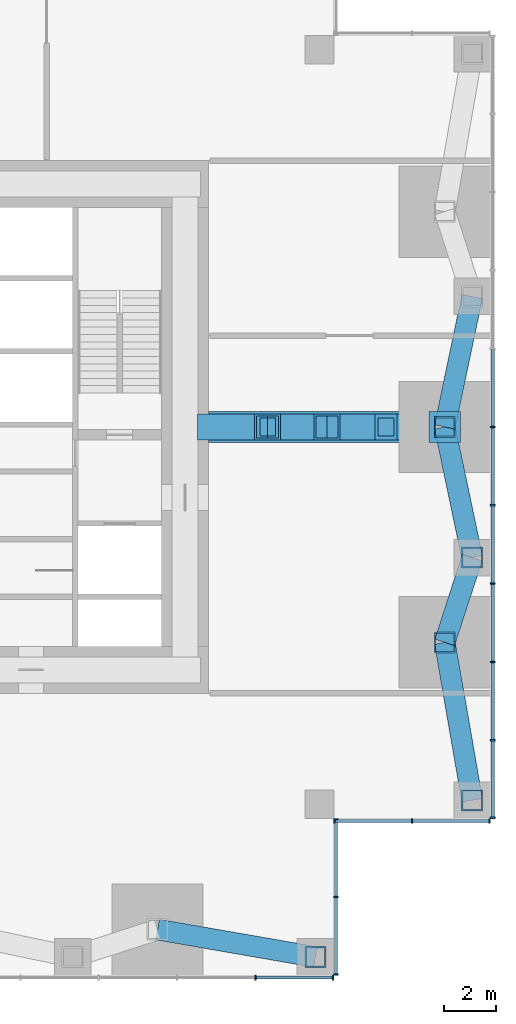
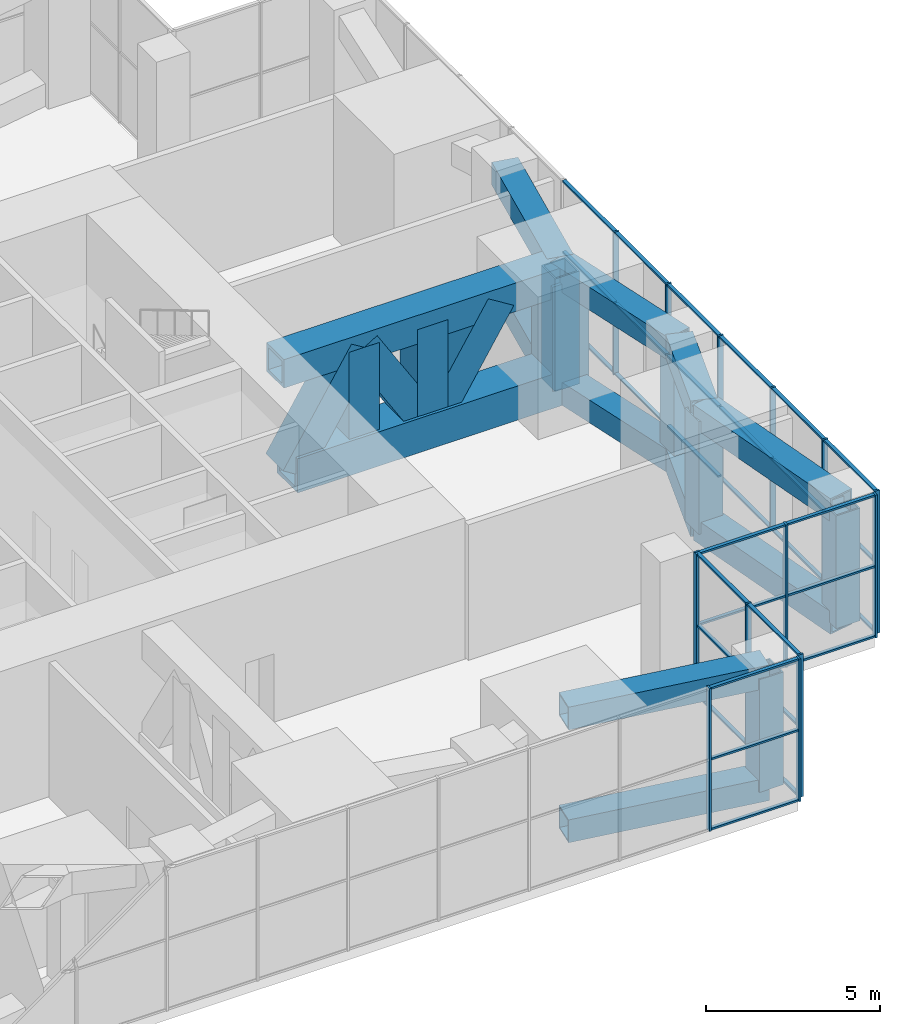
# One storey, part 5 of 13: 70 members, 4 elements without a shape of their own.
"""IFC4 building model written with IfcOpenShell, lengths in metres."""

from ifc_helpers import new_model, si_unit, direction, frame, origin, origin_2d, place, context, subcontext, project, spatial, rectangle, hollow_rectangle, extrude, material, material_profile, profile_set, type_object, element, aggregate, save


model = new_model("IFC4")

# Units and contexts
model_context = context("Model", 3, precision=1e-05, world=origin(), true_north=direction((0.0, 1.0)))
body_context = subcontext(model_context, "Body", "Model", "MODEL_VIEW")
ifc_project = project(units=[si_unit("LENGTHUNIT", "METRE"), si_unit("AREAUNIT", "SQUARE_METRE"), si_unit("VOLUMEUNIT", "CUBIC_METRE"), si_unit("PLANEANGLEUNIT", "RADIAN"), si_unit("MASSUNIT", "GRAM", prefix="KILO")], contexts=[model_context])

# Site, building, storey
site_placement = place(None, origin())
site = spatial("IfcSite", under=ifc_project, at=site_placement, CompositionType="ELEMENT")
building_placement = place(site_placement, origin())
building = spatial("IfcBuilding", under=site, at=building_placement, Name="Svetlomir Tower", CompositionType="ELEMENT")
storey_placement = place(building_placement, frame((0.0, 0.0, 86.5)))
storey = spatial("IfcBuildingStorey", under=building, at=storey_placement, Name="L20", CompositionType="ELEMENT", Elevation=86.5)

# Members
ifc_material_1 = material(Name="Steel S355", Category="steel")
ifc_material_profile_1 = material_profile(ifc_material_1, hollow_rectangle(XDim=0.800048828125, YDim=0.800048828125, WallThickness=0.050048828125, at=origin_2d()), Name="BOX 800x800x50")
ifc_profile_set_1 = profile_set([ifc_material_profile_1], Name="Steel S355")
member_type_1 = type_object("IfcMemberType", Name="BELT FRAME CHORD BOX 800x800x50", PredefinedType="CHORD", material=ifc_profile_set_1)
for number, where, z_axis, x_axis, name in (
    (1, (29.25, 1.75, 0.39990234375), (0.985270350891, -0.171003905378, 0.0), (0.171003905378, 0.985270350891, 0.0), "Belt frame S L20 bottom chord 6"),
    (2, (29.25, 1.75, 4.35009765625), (0.985270350891, -0.171003905378, 0.0), (0.171003905378, 0.985270350891, 0.0), "Belt frame S L20 top chord 6"),
    (3, (41.300048828125, 6.699951171875, 0.39990234375), (-0.171003905378, 0.985270350891, 0.0), (-0.985270350891, -0.171003905378, 0.0), "Belt frame E L20 bottom chord 1"),
    (4, (41.300048828125, 6.699951171875, 4.35009765625), (-0.171003905378, 0.985270350891, 0.0), (-0.985270350891, -0.171003905378, 0.0), "Belt frame E L20 top chord 1"),
):
    element("IfcMember", number, at=place(storey_placement, frame(where, z_axis=z_axis, x_axis=x_axis)), inside=storey, type_object=member_type_1, Name=name, PredefinedType="CHORD", context=body_context, shape_type="SweptSolid", body=[
        extrude(hollow_rectangle(XDim=0.800048828125, YDim=0.800048828125, WallThickness=0.050048828125, at=origin_2d()), origin(), (0.0, 0.0, 1.0), 6.140380859375),
    ])
for number, where, z_axis, x_axis, name in (
    (5, (40.25, 12.75, 0.39990234375), (0.307443428225, 0.951566360503, 0.0), (-0.951566360503, 0.307443428225, 0.0), "Belt frame E L20 bottom chord 2"),
    (6, (40.25, 12.75, 4.35009765625), (0.307443428225, 0.951566360503, 0.0), (-0.951566360503, 0.307443428225, 0.0), "Belt frame E L20 top chord 2"),
):
    element("IfcMember", number, at=place(storey_placement, frame(where, z_axis=z_axis, x_axis=x_axis)), inside=storey, type_object=member_type_1, Name=name, PredefinedType="CHORD", context=body_context, shape_type="SweptSolid", body=[
        extrude(hollow_rectangle(XDim=0.800048828125, YDim=0.800048828125, WallThickness=0.050048828125, at=origin_2d()), origin(), (0.0, 0.0, 1.0), 3.41552734375),
    ])
for number, where, z_axis, x_axis, name in (
    (7, (41.300048828125, 16.0, 0.39990234375), (-0.205526387753, 0.978651574329, 0.0), (-0.978651574329, -0.205526387753, 0.0), "Belt frame E L20 bottom chord 3"),
    (8, (41.300048828125, 16.0, 4.35009765625), (-0.205526387753, 0.978651574329, 0.0), (-0.978651574329, -0.205526387753, 0.0), "Belt frame E L20 top chord 3"),
    (9, (40.25, 21.0, 0.39990234375), (0.205526387753, 0.978651574329, 0.0), (-0.978651574329, 0.205526387753, 0.0), "Belt frame E L20 bottom chord 4"),
    (10, (40.25, 21.0, 4.35009765625), (0.205526387753, 0.978651574329, 0.0), (-0.978651574329, 0.205526387753, 0.0), "Belt frame E L20 top chord 4"),
):
    element("IfcMember", number, at=place(storey_placement, frame(where, z_axis=z_axis, x_axis=x_axis)), inside=storey, type_object=member_type_1, Name=name, PredefinedType="CHORD", context=body_context, shape_type="SweptSolid", body=[
        extrude(hollow_rectangle(XDim=0.800048828125, YDim=0.800048828125, WallThickness=0.050048828125, at=origin_2d()), origin(), (0.0, 0.0, 1.0), 5.109130859375),
    ])
ifc_material_2 = material(Name="Steel S355", Category="steel")
ifc_material_profile_2 = material_profile(ifc_material_2, hollow_rectangle(XDim=0.800048828125, YDim=0.800048828125, WallThickness=0.050048828125, at=origin_2d()), Name="BOX 800x800x50")
ifc_profile_set_2 = profile_set([ifc_material_profile_2], Name="Steel S355")
member_type_2 = type_object("IfcMemberType", Name="BELT FRAME POST BOX 800x800x50", PredefinedType="POST", material=ifc_profile_set_2)
for number, where, z_axis, x_axis, name in (
    (11, (35.300048828125, 0.699951171875, 0.39990234375), (0.0, 0.0, 1.0), (1.0, 0.0, 0.0), "Belt frame S L20 post 7"),
    (12, (41.300048828125, 6.699951171875, 0.39990234375), (0.0, 0.0, 1.0), (1.0, 0.0, 0.0), "Belt frame E L20 post 1"),
    (13, (40.25, 12.75, 0.39990234375), (0.0, 0.0, 1.0), (1.0, 0.0, 0.0), "Belt frame E L20 post 2"),
    (14, (41.300048828125, 16.0, 0.39990234375), (0.0, 0.0, 1.0), (1.0, 0.0, 0.0), "Belt frame E L20 post 3"),
    (15, (40.25, 21.0, 0.39990234375), (0.0, 0.0, 1.0), (1.0, 0.0, 0.0), "Belt frame E L20 post 4"),
):
    element("IfcMember", number, at=place(storey_placement, frame(where, z_axis=z_axis, x_axis=x_axis)), inside=storey, type_object=member_type_2, Name=name, PredefinedType="POST", context=body_context, shape_type="SweptSolid", body=[
        extrude(hollow_rectangle(XDim=0.800048828125, YDim=0.800048828125, WallThickness=0.050048828125, at=origin_2d()), origin(), (0.0, 0.0, 1.0), 3.9501953125),
    ])

# Curtain wall, members
ifc_material_3 = material(Name="Bronze anodised aluminium curtain wall", Category="aluminium")
curtain_wall_type = type_object("IfcCurtainWallType", Name="CURTAIN WALL CW3 PLANT LOUVRE", PredefinedType="NOTDEFINED", material=ifc_material_3)
curtain_wall_1_placement = place(storey_placement, origin())
curtain_wall_1 = element("IfcCurtainWall", 16, at=curtain_wall_1_placement, inside=storey, type_object=curtain_wall_type, Name="Curtain wall CW3 L20", PredefinedType="NOTDEFINED")
ifc_material_4 = material(Name="Bronze anodised aluminium", Category="aluminium")
ifc_material_profile_3 = material_profile(ifc_material_4, rectangle(XDim=0.06494140625, YDim=0.179931640625, at=origin_2d()), Name="AL 65x180")
ifc_profile_set_3 = profile_set([ifc_material_profile_3], Name="Bronze anodised aluminium 6063-T6")
member_type_3 = type_object("IfcMemberType", Name="CW3 MULLION 65x180", PredefinedType="MULLION", material=ifc_profile_set_3)
member_1_placement = place(storey_placement, frame((33.0, -0.090087890625, 0.0), z_axis=(0.0, 0.0, 1.0), x_axis=(1.0, 0.0, 0.0)))
member_1 = element("IfcMember", 17, at=member_1_placement, type_object=member_type_3, Name="CW3 mullion 10", PredefinedType="MULLION", context=body_context, shape_type="SweptSolid", body=[
    extrude(rectangle(XDim=0.06494140625, YDim=0.179931640625, at=origin_2d()), origin(), (0.0, 0.0, 1.0), 5.0),
])
member_2_placement = place(storey_placement, frame((35.967529296875, -0.090087890625, 0.0), z_axis=(0.0, 0.0, 1.0), x_axis=(1.0, 0.0, 0.0)))
member_2 = element("IfcMember", 18, at=member_2_placement, type_object=member_type_3, Name="CW3 mullion 11", PredefinedType="MULLION", context=body_context, shape_type="SweptSolid", body=[
    extrude(rectangle(XDim=0.06494140625, YDim=0.179931640625, at=origin_2d()), origin(), (0.0, 0.0, 1.0), 5.0),
])

curtain_wall_2_placement = place(storey_placement, origin())
curtain_wall_2 = element("IfcCurtainWall", 19, at=curtain_wall_2_placement, inside=storey, type_object=curtain_wall_type, Name="Curtain wall CW3 L20", PredefinedType="NOTDEFINED")
member_3_placement = place(storey_placement, frame((36.090087890625, 0.032470703125, 0.0), z_axis=(0.0, 0.0, 1.0), x_axis=(0.0, 1.0, 0.0)))
member_3 = element("IfcMember", 20, at=member_3_placement, type_object=member_type_3, Name="CW3 mullion 1", PredefinedType="MULLION", context=body_context, shape_type="SweptSolid", body=[
    extrude(rectangle(XDim=0.06494140625, YDim=0.179931640625, at=origin_2d()), origin(), (0.0, 0.0, 1.0), 5.0),
])
member_4_placement = place(storey_placement, frame((36.090087890625, 3.0, 0.0), z_axis=(0.0, 0.0, 1.0), x_axis=(0.0, 1.0, 0.0)))
member_4 = element("IfcMember", 21, at=member_4_placement, type_object=member_type_3, Name="CW3 mullion 2", PredefinedType="MULLION", context=body_context, shape_type="SweptSolid", body=[
    extrude(rectangle(XDim=0.06494140625, YDim=0.179931640625, at=origin_2d()), origin(), (0.0, 0.0, 1.0), 5.0),
])
member_5_placement = place(storey_placement, frame((36.090087890625, 5.967529296875, 0.0), z_axis=(0.0, 0.0, 1.0), x_axis=(0.0, 1.0, 0.0)))
member_5 = element("IfcMember", 22, at=member_5_placement, type_object=member_type_3, Name="CW3 mullion 3", PredefinedType="MULLION", context=body_context, shape_type="SweptSolid", body=[
    extrude(rectangle(XDim=0.06494140625, YDim=0.179931640625, at=origin_2d()), origin(), (0.0, 0.0, 1.0), 5.0),
])

curtain_wall_3_placement = place(storey_placement, origin())
curtain_wall_3 = element("IfcCurtainWall", 23, at=curtain_wall_3_placement, inside=storey, type_object=curtain_wall_type, Name="Curtain wall CW3 L20", PredefinedType="NOTDEFINED")
member_6_placement = place(storey_placement, frame((36.032470703125, 5.909912109375, 0.0), z_axis=(0.0, 0.0, 1.0), x_axis=(1.0, 0.0, 0.0)))
member_6 = element("IfcMember", 24, at=member_6_placement, type_object=member_type_3, Name="CW3 mullion 1", PredefinedType="MULLION", context=body_context, shape_type="SweptSolid", body=[
    extrude(rectangle(XDim=0.06494140625, YDim=0.179931640625, at=origin_2d()), origin(), (0.0, 0.0, 1.0), 5.0),
])
member_7_placement = place(storey_placement, frame((39.0, 5.909912109375, 0.0), z_axis=(0.0, 0.0, 1.0), x_axis=(1.0, 0.0, 0.0)))
member_7 = element("IfcMember", 25, at=member_7_placement, type_object=member_type_3, Name="CW3 mullion 2", PredefinedType="MULLION", context=body_context, shape_type="SweptSolid", body=[
    extrude(rectangle(XDim=0.06494140625, YDim=0.179931640625, at=origin_2d()), origin(), (0.0, 0.0, 1.0), 5.0),
])
member_8_placement = place(storey_placement, frame((41.967529296875, 5.909912109375, 0.0), z_axis=(0.0, 0.0, 1.0), x_axis=(1.0, 0.0, 0.0)))
member_8 = element("IfcMember", 26, at=member_8_placement, type_object=member_type_3, Name="CW3 mullion 3", PredefinedType="MULLION", context=body_context, shape_type="SweptSolid", body=[
    extrude(rectangle(XDim=0.06494140625, YDim=0.179931640625, at=origin_2d()), origin(), (0.0, 0.0, 1.0), 5.0),
])

curtain_wall_4_placement = place(storey_placement, origin())
curtain_wall_4 = element("IfcCurtainWall", 27, at=curtain_wall_4_placement, inside=storey, type_object=curtain_wall_type, Name="Curtain wall CW3 L20", PredefinedType="NOTDEFINED")
member_9_placement = place(storey_placement, frame((42.090087890625, 6.032470703125, 0.0), z_axis=(0.0, 0.0, 1.0), x_axis=(0.0, 1.0, 0.0)))
member_9 = element("IfcMember", 28, at=member_9_placement, type_object=member_type_3, Name="CW3 mullion 1", PredefinedType="MULLION", context=body_context, shape_type="SweptSolid", body=[
    extrude(rectangle(XDim=0.06494140625, YDim=0.179931640625, at=origin_2d()), origin(), (0.0, 0.0, 1.0), 5.0),
])
member_10_placement = place(storey_placement, frame((42.090087890625, 9.0, 0.0), z_axis=(0.0, 0.0, 1.0), x_axis=(0.0, 1.0, 0.0)))
member_10 = element("IfcMember", 29, at=member_10_placement, type_object=member_type_3, Name="CW3 mullion 2", PredefinedType="MULLION", context=body_context, shape_type="SweptSolid", body=[
    extrude(rectangle(XDim=0.06494140625, YDim=0.179931640625, at=origin_2d()), origin(), (0.0, 0.0, 1.0), 5.0),
])
member_11_placement = place(storey_placement, frame((42.090087890625, 12.0, 0.0), z_axis=(0.0, 0.0, 1.0), x_axis=(0.0, 1.0, 0.0)))
member_11 = element("IfcMember", 30, at=member_11_placement, type_object=member_type_3, Name="CW3 mullion 3", PredefinedType="MULLION", context=body_context, shape_type="SweptSolid", body=[
    extrude(rectangle(XDim=0.06494140625, YDim=0.179931640625, at=origin_2d()), origin(), (0.0, 0.0, 1.0), 5.0),
])
member_12_placement = place(storey_placement, frame((42.090087890625, 15.0, 0.0), z_axis=(0.0, 0.0, 1.0), x_axis=(0.0, 1.0, 0.0)))
member_12 = element("IfcMember", 31, at=member_12_placement, type_object=member_type_3, Name="CW3 mullion 4", PredefinedType="MULLION", context=body_context, shape_type="SweptSolid", body=[
    extrude(rectangle(XDim=0.06494140625, YDim=0.179931640625, at=origin_2d()), origin(), (0.0, 0.0, 1.0), 5.0),
])
member_13_placement = place(storey_placement, frame((42.090087890625, 18.0, 0.0), z_axis=(0.0, 0.0, 1.0), x_axis=(0.0, 1.0, 0.0)))
member_13 = element("IfcMember", 32, at=member_13_placement, type_object=member_type_3, Name="CW3 mullion 5", PredefinedType="MULLION", context=body_context, shape_type="SweptSolid", body=[
    extrude(rectangle(XDim=0.06494140625, YDim=0.179931640625, at=origin_2d()), origin(), (0.0, 0.0, 1.0), 5.0),
])
member_14_placement = place(storey_placement, frame((42.090087890625, 21.0, 0.0), z_axis=(0.0, 0.0, 1.0), x_axis=(0.0, 1.0, 0.0)))
member_14 = element("IfcMember", 33, at=member_14_placement, type_object=member_type_3, Name="CW3 mullion 6", PredefinedType="MULLION", context=body_context, shape_type="SweptSolid", body=[
    extrude(rectangle(XDim=0.06494140625, YDim=0.179931640625, at=origin_2d()), origin(), (0.0, 0.0, 1.0), 5.0),
])

# Member
ifc_material_5 = material(Name="Bronze anodised aluminium", Category="aluminium")
ifc_material_profile_4 = material_profile(ifc_material_5, rectangle(XDim=0.1201171875, YDim=0.06494140625, at=origin_2d()), Name="AL 120x65")
ifc_profile_set_4 = profile_set([ifc_material_profile_4], Name="Bronze anodised aluminium 6063-T6")
member_type_4 = type_object("IfcMemberType", Name="CW3 TRANSOM 65x120", PredefinedType="USERDEFINED", material=ifc_profile_set_4)
member_15_placement = place(storey_placement, frame((33.032470703125, -0.090087890625, 0.032470703125), z_axis=(1.0, 0.0, 0.0), x_axis=(0.0, 1.0, 0.0)))
member_15 = element("IfcMember", 34, at=member_15_placement, type_object=member_type_4, Name="CW3 transom 10.1", ObjectType="TRANSOM", PredefinedType="USERDEFINED", context=body_context, shape_type="SweptSolid", body=[
    extrude(rectangle(XDim=0.1201171875, YDim=0.06494140625, at=origin_2d()), origin(), (0.0, 0.0, 1.0), 2.902587890625),
])

member_16_placement = place(storey_placement, frame((33.032470703125, -0.090087890625, 2.48388671875), z_axis=(1.0, 0.0, 0.0), x_axis=(0.0, 1.0, 0.0)))
member_16 = element("IfcMember", 35, at=member_16_placement, type_object=member_type_4, Name="CW3 transom 10.2", ObjectType="TRANSOM", PredefinedType="USERDEFINED", context=body_context, shape_type="SweptSolid", body=[
    extrude(rectangle(XDim=0.1201171875, YDim=0.06494140625, at=origin_2d()), origin(), (0.0, 0.0, 1.0), 2.902587890625),
])

member_17_placement = place(storey_placement, frame((33.032470703125, -0.090087890625, 4.967529296875), z_axis=(1.0, 0.0, 0.0), x_axis=(0.0, 1.0, 0.0)))
member_17 = element("IfcMember", 36, at=member_17_placement, type_object=member_type_4, Name="CW3 transom 10.3", ObjectType="TRANSOM", PredefinedType="USERDEFINED", context=body_context, shape_type="SweptSolid", body=[
    extrude(rectangle(XDim=0.1201171875, YDim=0.06494140625, at=origin_2d()), origin(), (0.0, 0.0, 1.0), 2.902587890625),
])

aggregate(curtain_wall_1, [member_1, member_2, member_15, member_16, member_17])

member_18_placement = place(storey_placement, frame((36.090087890625, 0.06494140625, 0.032470703125), z_axis=(0.0, 1.0, 0.0), x_axis=(-1.0, 0.0, 0.0)))
member_18 = element("IfcMember", 37, at=member_18_placement, type_object=member_type_4, Name="CW3 transom 1.1", ObjectType="TRANSOM", PredefinedType="USERDEFINED", context=body_context, shape_type="SweptSolid", body=[
    extrude(rectangle(XDim=0.1201171875, YDim=0.06494140625, at=origin_2d()), origin(), (0.0, 0.0, 1.0), 2.902587890625),
])

member_19_placement = place(storey_placement, frame((36.090087890625, 0.06494140625, 2.48388671875), z_axis=(0.0, 1.0, 0.0), x_axis=(-1.0, 0.0, 0.0)))
member_19 = element("IfcMember", 38, at=member_19_placement, type_object=member_type_4, Name="CW3 transom 1.2", ObjectType="TRANSOM", PredefinedType="USERDEFINED", context=body_context, shape_type="SweptSolid", body=[
    extrude(rectangle(XDim=0.1201171875, YDim=0.06494140625, at=origin_2d()), origin(), (0.0, 0.0, 1.0), 2.902587890625),
])

member_20_placement = place(storey_placement, frame((36.090087890625, 0.06494140625, 4.967529296875), z_axis=(0.0, 1.0, 0.0), x_axis=(-1.0, 0.0, 0.0)))
member_20 = element("IfcMember", 39, at=member_20_placement, type_object=member_type_4, Name="CW3 transom 1.3", ObjectType="TRANSOM", PredefinedType="USERDEFINED", context=body_context, shape_type="SweptSolid", body=[
    extrude(rectangle(XDim=0.1201171875, YDim=0.06494140625, at=origin_2d()), origin(), (0.0, 0.0, 1.0), 2.902587890625),
])

member_21_placement = place(storey_placement, frame((36.090087890625, 3.032470703125, 0.032470703125), z_axis=(0.0, 1.0, 0.0), x_axis=(-1.0, 0.0, 0.0)))
member_21 = element("IfcMember", 40, at=member_21_placement, type_object=member_type_4, Name="CW3 transom 2.1", ObjectType="TRANSOM", PredefinedType="USERDEFINED", context=body_context, shape_type="SweptSolid", body=[
    extrude(rectangle(XDim=0.1201171875, YDim=0.06494140625, at=origin_2d()), origin(), (0.0, 0.0, 1.0), 2.902587890625),
])

member_22_placement = place(storey_placement, frame((36.090087890625, 3.032470703125, 2.48388671875), z_axis=(0.0, 1.0, 0.0), x_axis=(-1.0, 0.0, 0.0)))
member_22 = element("IfcMember", 41, at=member_22_placement, type_object=member_type_4, Name="CW3 transom 2.2", ObjectType="TRANSOM", PredefinedType="USERDEFINED", context=body_context, shape_type="SweptSolid", body=[
    extrude(rectangle(XDim=0.1201171875, YDim=0.06494140625, at=origin_2d()), origin(), (0.0, 0.0, 1.0), 2.902587890625),
])

member_23_placement = place(storey_placement, frame((36.090087890625, 3.032470703125, 4.967529296875), z_axis=(0.0, 1.0, 0.0), x_axis=(-1.0, 0.0, 0.0)))
member_23 = element("IfcMember", 42, at=member_23_placement, type_object=member_type_4, Name="CW3 transom 2.3", ObjectType="TRANSOM", PredefinedType="USERDEFINED", context=body_context, shape_type="SweptSolid", body=[
    extrude(rectangle(XDim=0.1201171875, YDim=0.06494140625, at=origin_2d()), origin(), (0.0, 0.0, 1.0), 2.902587890625),
])

aggregate(curtain_wall_2, [member_3, member_4, member_5, member_18, member_19, member_20, member_21, member_22, member_23])

member_24_placement = place(storey_placement, frame((36.06494140625, 5.909912109375, 0.032470703125), z_axis=(1.0, 0.0, 0.0), x_axis=(0.0, 1.0, 0.0)))
member_24 = element("IfcMember", 43, at=member_24_placement, type_object=member_type_4, Name="CW3 transom 1.1", ObjectType="TRANSOM", PredefinedType="USERDEFINED", context=body_context, shape_type="SweptSolid", body=[
    extrude(rectangle(XDim=0.1201171875, YDim=0.06494140625, at=origin_2d()), origin(), (0.0, 0.0, 1.0), 2.902587890625),
])

member_25_placement = place(storey_placement, frame((36.06494140625, 5.909912109375, 2.48388671875), z_axis=(1.0, 0.0, 0.0), x_axis=(0.0, 1.0, 0.0)))
member_25 = element("IfcMember", 44, at=member_25_placement, type_object=member_type_4, Name="CW3 transom 1.2", ObjectType="TRANSOM", PredefinedType="USERDEFINED", context=body_context, shape_type="SweptSolid", body=[
    extrude(rectangle(XDim=0.1201171875, YDim=0.06494140625, at=origin_2d()), origin(), (0.0, 0.0, 1.0), 2.902587890625),
])

member_26_placement = place(storey_placement, frame((36.06494140625, 5.909912109375, 4.967529296875), z_axis=(1.0, 0.0, 0.0), x_axis=(0.0, 1.0, 0.0)))
member_26 = element("IfcMember", 45, at=member_26_placement, type_object=member_type_4, Name="CW3 transom 1.3", ObjectType="TRANSOM", PredefinedType="USERDEFINED", context=body_context, shape_type="SweptSolid", body=[
    extrude(rectangle(XDim=0.1201171875, YDim=0.06494140625, at=origin_2d()), origin(), (0.0, 0.0, 1.0), 2.902587890625),
])

member_27_placement = place(storey_placement, frame((39.032470703125, 5.909912109375, 0.032470703125), z_axis=(1.0, 0.0, 0.0), x_axis=(0.0, 1.0, 0.0)))
member_27 = element("IfcMember", 46, at=member_27_placement, type_object=member_type_4, Name="CW3 transom 2.1", ObjectType="TRANSOM", PredefinedType="USERDEFINED", context=body_context, shape_type="SweptSolid", body=[
    extrude(rectangle(XDim=0.1201171875, YDim=0.06494140625, at=origin_2d()), origin(), (0.0, 0.0, 1.0), 2.902587890625),
])

member_28_placement = place(storey_placement, frame((39.032470703125, 5.909912109375, 2.48388671875), z_axis=(1.0, 0.0, 0.0), x_axis=(0.0, 1.0, 0.0)))
member_28 = element("IfcMember", 47, at=member_28_placement, type_object=member_type_4, Name="CW3 transom 2.2", ObjectType="TRANSOM", PredefinedType="USERDEFINED", context=body_context, shape_type="SweptSolid", body=[
    extrude(rectangle(XDim=0.1201171875, YDim=0.06494140625, at=origin_2d()), origin(), (0.0, 0.0, 1.0), 2.902587890625),
])

member_29_placement = place(storey_placement, frame((39.032470703125, 5.909912109375, 4.967529296875), z_axis=(1.0, 0.0, 0.0), x_axis=(0.0, 1.0, 0.0)))
member_29 = element("IfcMember", 48, at=member_29_placement, type_object=member_type_4, Name="CW3 transom 2.3", ObjectType="TRANSOM", PredefinedType="USERDEFINED", context=body_context, shape_type="SweptSolid", body=[
    extrude(rectangle(XDim=0.1201171875, YDim=0.06494140625, at=origin_2d()), origin(), (0.0, 0.0, 1.0), 2.902587890625),
])

aggregate(curtain_wall_3, [member_6, member_7, member_8, member_24, member_25, member_26, member_27, member_28, member_29])

member_30_placement = place(storey_placement, frame((42.090087890625, 6.06494140625, 0.032470703125), z_axis=(0.0, 1.0, 0.0), x_axis=(-1.0, 0.0, 0.0)))
member_30 = element("IfcMember", 49, at=member_30_placement, type_object=member_type_4, Name="CW3 transom 1.1", ObjectType="TRANSOM", PredefinedType="USERDEFINED", context=body_context, shape_type="SweptSolid", body=[
    extrude(rectangle(XDim=0.1201171875, YDim=0.06494140625, at=origin_2d()), origin(), (0.0, 0.0, 1.0), 2.902587890625),
])

member_31_placement = place(storey_placement, frame((42.090087890625, 6.06494140625, 2.48388671875), z_axis=(0.0, 1.0, 0.0), x_axis=(-1.0, 0.0, 0.0)))
member_31 = element("IfcMember", 50, at=member_31_placement, type_object=member_type_4, Name="CW3 transom 1.2", ObjectType="TRANSOM", PredefinedType="USERDEFINED", context=body_context, shape_type="SweptSolid", body=[
    extrude(rectangle(XDim=0.1201171875, YDim=0.06494140625, at=origin_2d()), origin(), (0.0, 0.0, 1.0), 2.902587890625),
])

member_32_placement = place(storey_placement, frame((42.090087890625, 6.06494140625, 4.967529296875), z_axis=(0.0, 1.0, 0.0), x_axis=(-1.0, 0.0, 0.0)))
member_32 = element("IfcMember", 51, at=member_32_placement, type_object=member_type_4, Name="CW3 transom 1.3", ObjectType="TRANSOM", PredefinedType="USERDEFINED", context=body_context, shape_type="SweptSolid", body=[
    extrude(rectangle(XDim=0.1201171875, YDim=0.06494140625, at=origin_2d()), origin(), (0.0, 0.0, 1.0), 2.902587890625),
])

member_33_placement = place(storey_placement, frame((42.090087890625, 9.032470703125, 0.032470703125), z_axis=(0.0, 1.0, 0.0), x_axis=(-1.0, 0.0, 0.0)))
member_33 = element("IfcMember", 52, at=member_33_placement, type_object=member_type_4, Name="CW3 transom 2.1", ObjectType="TRANSOM", PredefinedType="USERDEFINED", context=body_context, shape_type="SweptSolid", body=[
    extrude(rectangle(XDim=0.1201171875, YDim=0.06494140625, at=origin_2d()), origin(), (0.0, 0.0, 1.0), 2.93505859375),
])

member_34_placement = place(storey_placement, frame((42.090087890625, 9.032470703125, 2.48388671875), z_axis=(0.0, 1.0, 0.0), x_axis=(-1.0, 0.0, 0.0)))
member_34 = element("IfcMember", 53, at=member_34_placement, type_object=member_type_4, Name="CW3 transom 2.2", ObjectType="TRANSOM", PredefinedType="USERDEFINED", context=body_context, shape_type="SweptSolid", body=[
    extrude(rectangle(XDim=0.1201171875, YDim=0.06494140625, at=origin_2d()), origin(), (0.0, 0.0, 1.0), 2.93505859375),
])

member_35_placement = place(storey_placement, frame((42.090087890625, 9.032470703125, 4.967529296875), z_axis=(0.0, 1.0, 0.0), x_axis=(-1.0, 0.0, 0.0)))
member_35 = element("IfcMember", 54, at=member_35_placement, type_object=member_type_4, Name="CW3 transom 2.3", ObjectType="TRANSOM", PredefinedType="USERDEFINED", context=body_context, shape_type="SweptSolid", body=[
    extrude(rectangle(XDim=0.1201171875, YDim=0.06494140625, at=origin_2d()), origin(), (0.0, 0.0, 1.0), 2.93505859375),
])

member_36_placement = place(storey_placement, frame((42.090087890625, 12.032470703125, 0.032470703125), z_axis=(0.0, 1.0, 0.0), x_axis=(-1.0, 0.0, 0.0)))
member_36 = element("IfcMember", 55, at=member_36_placement, type_object=member_type_4, Name="CW3 transom 3.1", ObjectType="TRANSOM", PredefinedType="USERDEFINED", context=body_context, shape_type="SweptSolid", body=[
    extrude(rectangle(XDim=0.1201171875, YDim=0.06494140625, at=origin_2d()), origin(), (0.0, 0.0, 1.0), 2.93505859375),
])

member_37_placement = place(storey_placement, frame((42.090087890625, 12.032470703125, 2.48388671875), z_axis=(0.0, 1.0, 0.0), x_axis=(-1.0, 0.0, 0.0)))
member_37 = element("IfcMember", 56, at=member_37_placement, type_object=member_type_4, Name="CW3 transom 3.2", ObjectType="TRANSOM", PredefinedType="USERDEFINED", context=body_context, shape_type="SweptSolid", body=[
    extrude(rectangle(XDim=0.1201171875, YDim=0.06494140625, at=origin_2d()), origin(), (0.0, 0.0, 1.0), 2.93505859375),
])

member_38_placement = place(storey_placement, frame((42.090087890625, 12.032470703125, 4.967529296875), z_axis=(0.0, 1.0, 0.0), x_axis=(-1.0, 0.0, 0.0)))
member_38 = element("IfcMember", 57, at=member_38_placement, type_object=member_type_4, Name="CW3 transom 3.3", ObjectType="TRANSOM", PredefinedType="USERDEFINED", context=body_context, shape_type="SweptSolid", body=[
    extrude(rectangle(XDim=0.1201171875, YDim=0.06494140625, at=origin_2d()), origin(), (0.0, 0.0, 1.0), 2.93505859375),
])

member_39_placement = place(storey_placement, frame((42.090087890625, 15.032470703125, 0.032470703125), z_axis=(0.0, 1.0, 0.0), x_axis=(-1.0, 0.0, 0.0)))
member_39 = element("IfcMember", 58, at=member_39_placement, type_object=member_type_4, Name="CW3 transom 4.1", ObjectType="TRANSOM", PredefinedType="USERDEFINED", context=body_context, shape_type="SweptSolid", body=[
    extrude(rectangle(XDim=0.1201171875, YDim=0.06494140625, at=origin_2d()), origin(), (0.0, 0.0, 1.0), 2.93505859375),
])

member_40_placement = place(storey_placement, frame((42.090087890625, 15.032470703125, 2.48388671875), z_axis=(0.0, 1.0, 0.0), x_axis=(-1.0, 0.0, 0.0)))
member_40 = element("IfcMember", 59, at=member_40_placement, type_object=member_type_4, Name="CW3 transom 4.2", ObjectType="TRANSOM", PredefinedType="USERDEFINED", context=body_context, shape_type="SweptSolid", body=[
    extrude(rectangle(XDim=0.1201171875, YDim=0.06494140625, at=origin_2d()), origin(), (0.0, 0.0, 1.0), 2.93505859375),
])

member_41_placement = place(storey_placement, frame((42.090087890625, 15.032470703125, 4.967529296875), z_axis=(0.0, 1.0, 0.0), x_axis=(-1.0, 0.0, 0.0)))
member_41 = element("IfcMember", 60, at=member_41_placement, type_object=member_type_4, Name="CW3 transom 4.3", ObjectType="TRANSOM", PredefinedType="USERDEFINED", context=body_context, shape_type="SweptSolid", body=[
    extrude(rectangle(XDim=0.1201171875, YDim=0.06494140625, at=origin_2d()), origin(), (0.0, 0.0, 1.0), 2.93505859375),
])

member_42_placement = place(storey_placement, frame((42.090087890625, 18.032470703125, 0.032470703125), z_axis=(0.0, 1.0, 0.0), x_axis=(-1.0, 0.0, 0.0)))
member_42 = element("IfcMember", 61, at=member_42_placement, type_object=member_type_4, Name="CW3 transom 5.1", ObjectType="TRANSOM", PredefinedType="USERDEFINED", context=body_context, shape_type="SweptSolid", body=[
    extrude(rectangle(XDim=0.1201171875, YDim=0.06494140625, at=origin_2d()), origin(), (0.0, 0.0, 1.0), 2.93505859375),
])

member_43_placement = place(storey_placement, frame((42.090087890625, 18.032470703125, 2.48388671875), z_axis=(0.0, 1.0, 0.0), x_axis=(-1.0, 0.0, 0.0)))
member_43 = element("IfcMember", 62, at=member_43_placement, type_object=member_type_4, Name="CW3 transom 5.2", ObjectType="TRANSOM", PredefinedType="USERDEFINED", context=body_context, shape_type="SweptSolid", body=[
    extrude(rectangle(XDim=0.1201171875, YDim=0.06494140625, at=origin_2d()), origin(), (0.0, 0.0, 1.0), 2.93505859375),
])

member_44_placement = place(storey_placement, frame((42.090087890625, 18.032470703125, 4.967529296875), z_axis=(0.0, 1.0, 0.0), x_axis=(-1.0, 0.0, 0.0)))
member_44 = element("IfcMember", 63, at=member_44_placement, type_object=member_type_4, Name="CW3 transom 5.3", ObjectType="TRANSOM", PredefinedType="USERDEFINED", context=body_context, shape_type="SweptSolid", body=[
    extrude(rectangle(XDim=0.1201171875, YDim=0.06494140625, at=origin_2d()), origin(), (0.0, 0.0, 1.0), 2.93505859375),
])

member_45_placement = place(storey_placement, frame((42.090087890625, 21.032470703125, 0.032470703125), z_axis=(0.0, 1.0, 0.0), x_axis=(-1.0, 0.0, 0.0)))
member_45 = element("IfcMember", 64, at=member_45_placement, type_object=member_type_4, Name="CW3 transom 6.1", ObjectType="TRANSOM", PredefinedType="USERDEFINED", context=body_context, shape_type="SweptSolid", body=[
    extrude(rectangle(XDim=0.1201171875, YDim=0.06494140625, at=origin_2d()), origin(), (0.0, 0.0, 1.0), 2.93505859375),
])

member_46_placement = place(storey_placement, frame((42.090087890625, 21.032470703125, 2.48388671875), z_axis=(0.0, 1.0, 0.0), x_axis=(-1.0, 0.0, 0.0)))
member_46 = element("IfcMember", 65, at=member_46_placement, type_object=member_type_4, Name="CW3 transom 6.2", ObjectType="TRANSOM", PredefinedType="USERDEFINED", context=body_context, shape_type="SweptSolid", body=[
    extrude(rectangle(XDim=0.1201171875, YDim=0.06494140625, at=origin_2d()), origin(), (0.0, 0.0, 1.0), 2.93505859375),
])

member_47_placement = place(storey_placement, frame((42.090087890625, 21.032470703125, 4.967529296875), z_axis=(0.0, 1.0, 0.0), x_axis=(-1.0, 0.0, 0.0)))
member_47 = element("IfcMember", 66, at=member_47_placement, type_object=member_type_4, Name="CW3 transom 6.3", ObjectType="TRANSOM", PredefinedType="USERDEFINED", context=body_context, shape_type="SweptSolid", body=[
    extrude(rectangle(XDim=0.1201171875, YDim=0.06494140625, at=origin_2d()), origin(), (0.0, 0.0, 1.0), 2.93505859375),
])

aggregate(curtain_wall_4, [member_9, member_10, member_11, member_12, member_13, member_14, member_30, member_31, member_32, member_33, member_34, member_35, member_36, member_37, member_38, member_39, member_40, member_41, member_42, member_43, member_44, member_45, member_46, member_47])

# Members
ifc_material_6 = material(Name="Steel S355", Category="steel")
ifc_material_profile_5 = material_profile(ifc_material_6, hollow_rectangle(XDim=1.0, YDim=1.0, WallThickness=0.1201171875, at=origin_2d()), Name="BOX 1000x1000x120")
ifc_profile_set_5 = profile_set([ifc_material_profile_5], Name="Steel S355")
member_type_5 = type_object("IfcMemberType", Name="OUTRIGGER CHORD BOX 1000x1000x120", PredefinedType="CHORD", material=ifc_profile_set_5)
member_48_placement = place(storey_placement, frame((30.800048828125, 21.0, 4.25), z_axis=(1.0, 0.0, 0.0), x_axis=(0.0, 1.0, 0.0)))
element("IfcMember", 67, at=member_48_placement, inside=storey, type_object=member_type_5, Name="Outrigger E L20 top chord", PredefinedType="CHORD", context=body_context, shape_type="SweptSolid", body=[
    extrude(hollow_rectangle(XDim=1.0, YDim=1.0, WallThickness=0.1201171875, at=origin_2d()), origin(), (0.0, 0.0, 1.0), 9.449951171875),
])
ifc_material_7 = material(Name="Steel S355", Category="steel")
ifc_material_profile_6 = material_profile(ifc_material_7, hollow_rectangle(XDim=1.199951171875, YDim=1.199951171875, WallThickness=0.14990234375, at=origin_2d()), Name="BOX 1200x1200x150")
ifc_profile_set_6 = profile_set([ifc_material_profile_6], Name="Steel S355")
member_type_6 = type_object("IfcMemberType", Name="OUTRIGGER CHORD BOX 1200x1200x150", PredefinedType="CHORD", material=ifc_profile_set_6)
member_49_placement = place(storey_placement, frame((31.199951171875, 21.0, 0.60009765625), z_axis=(1.0, 0.0, 0.0), x_axis=(0.0, 1.0, 0.0)))
element("IfcMember", 68, at=member_49_placement, inside=storey, type_object=member_type_6, Name="Outrigger E L20 bottom chord", PredefinedType="CHORD", context=body_context, shape_type="SweptSolid", body=[
    extrude(hollow_rectangle(XDim=1.199951171875, YDim=1.199951171875, WallThickness=0.14990234375, at=origin_2d()), origin(), (0.0, 0.0, 1.0), 9.050048828125),
])
ifc_material_8 = material(Name="Steel S355", Category="steel")
ifc_material_profile_7 = material_profile(ifc_material_8, hollow_rectangle(XDim=1.0, YDim=1.0, WallThickness=0.14990234375, at=origin_2d()), Name="BOX 1000x1000x150")
ifc_profile_set_7 = profile_set([ifc_material_profile_7], Name="Steel S355")
member_type_7 = type_object("IfcMemberType", Name="OUTRIGGER DIAGONAL BOX 1000x1000x150", PredefinedType="BRACE", material=ifc_profile_set_7)
member_50_placement = place(storey_placement, frame((31.199951171875, 21.0, 0.60009765625), z_axis=(0.527596228415, 0.0, 0.849495273538), x_axis=(0.0, 1.0, 0.0)))
element("IfcMember", 69, at=member_50_placement, inside=storey, type_object=member_type_7, Name="Outrigger E L20 diagonal 1", PredefinedType="BRACE", context=body_context, shape_type="SweptSolid", body=[
    extrude(hollow_rectangle(XDim=1.0, YDim=1.0, WallThickness=0.14990234375, at=origin_2d()), origin(), (0.0, 0.0, 1.0), 4.296630859375),
])
for number, where, z_axis, x_axis, name in (
    (70, (33.466796875, 21.0, 4.25), (0.527555221109, 0.0, -0.849520740583), (0.0, 1.0, 0.0), "Outrigger E L20 diagonal 2"),
    (71, (35.7333984375, 21.0, 0.60009765625), (0.527555221109, 0.0, 0.849520740583), (0.0, 1.0, 0.0), "Outrigger E L20 diagonal 3"),
):
    element("IfcMember", number, at=place(storey_placement, frame(where, z_axis=z_axis, x_axis=x_axis)), inside=storey, type_object=member_type_7, Name=name, PredefinedType="BRACE", context=body_context, shape_type="SweptSolid", body=[
        extrude(hollow_rectangle(XDim=1.0, YDim=1.0, WallThickness=0.14990234375, at=origin_2d()), origin(), (0.0, 0.0, 1.0), 4.29638671875),
    ])
ifc_material_9 = material(Name="Steel S355", Category="steel")
ifc_material_profile_8 = material_profile(ifc_material_9, hollow_rectangle(XDim=1.199951171875, YDim=1.199951171875, WallThickness=0.199951171875, at=origin_2d()), Name="BOX 1200x1200x200")
ifc_profile_set_8 = profile_set([ifc_material_profile_8], Name="Steel S355")
member_type_8 = type_object("IfcMemberType", Name="OUTRIGGER END POST BOX 1200x1200x200", PredefinedType="POST", material=ifc_profile_set_8)
member_51_placement = place(storey_placement, frame((40.25, 21.0, 0.60009765625), z_axis=(0.0, 0.0, 1.0), x_axis=(1.0, 0.0, 0.0)))
element("IfcMember", 72, at=member_51_placement, inside=storey, type_object=member_type_8, Name="Outrigger E L20 end post", PredefinedType="POST", context=body_context, shape_type="SweptSolid", body=[
    extrude(hollow_rectangle(XDim=1.199951171875, YDim=1.199951171875, WallThickness=0.199951171875, at=origin_2d()), origin(), (0.0, 0.0, 1.0), 3.64990234375),
])
ifc_material_10 = material(Name="Steel S355", Category="steel")
ifc_material_profile_9 = material_profile(ifc_material_10, hollow_rectangle(XDim=1.0, YDim=1.0, WallThickness=0.080078125, at=origin_2d()), Name="BOX 1000x1000x80")
ifc_profile_set_9 = profile_set([ifc_material_profile_9], Name="Steel S355")
member_type_9 = type_object("IfcMemberType", Name="OUTRIGGER POST BOX 1000x1000x80", PredefinedType="POST", material=ifc_profile_set_9)
for number, where, z_axis, x_axis, name in (
    (73, (33.466796875, 21.0, 0.60009765625), (0.0, 0.0, 1.0), (1.0, 0.0, 0.0), "Outrigger E L20 post 1"),
    (74, (35.7333984375, 21.0, 0.60009765625), (0.0, 0.0, 1.0), (1.0, 0.0, 0.0), "Outrigger E L20 post 2"),
):
    element("IfcMember", number, at=place(storey_placement, frame(where, z_axis=z_axis, x_axis=x_axis)), inside=storey, type_object=member_type_9, Name=name, PredefinedType="POST", context=body_context, shape_type="SweptSolid", body=[
        extrude(hollow_rectangle(XDim=1.0, YDim=1.0, WallThickness=0.080078125, at=origin_2d()), origin(), (0.0, 0.0, 1.0), 3.64990234375),
    ])

save(model, "model.ifc")
